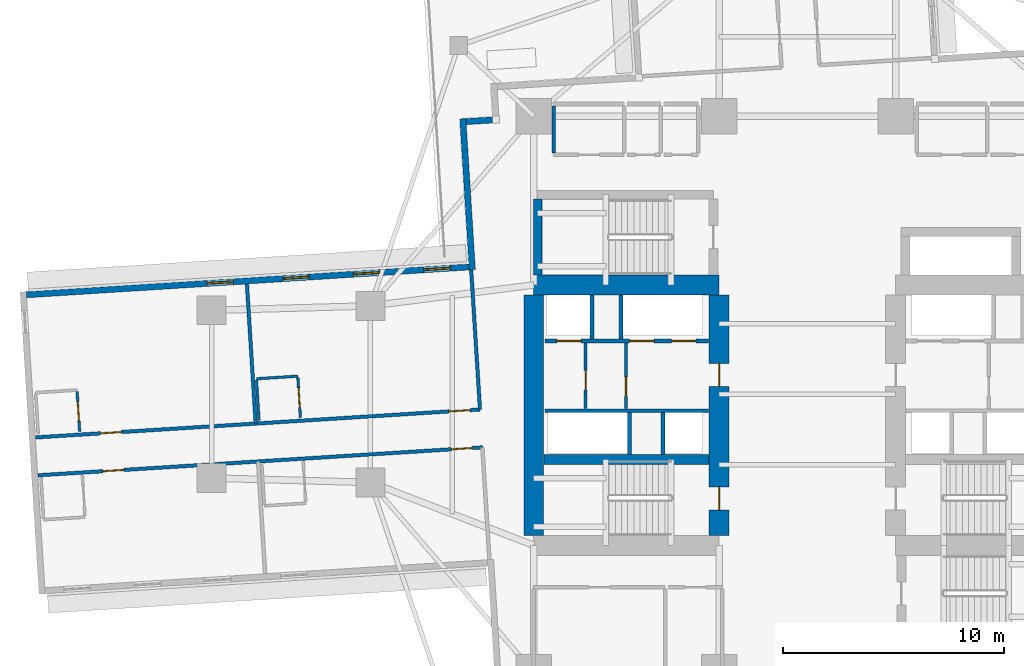
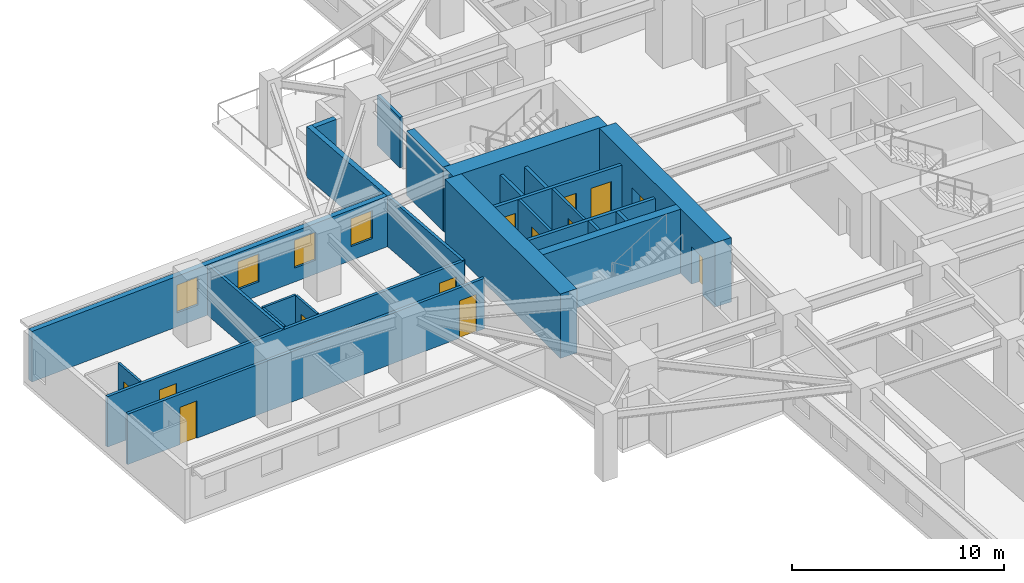
# One storey, part 5 of 14: 25 walls, 13 doors, 4 windows, 17 openings.
"""IFC4 building model written with IfcOpenShell, lengths in metres."""

from ifc_helpers import new_model, si_unit, direction, frame, frame_2d, origin, place, context, subcontext, project, spatial, rectangle, extrude, material, layer, layer_set, type_object, element, fill, save


model = new_model("IFC4")

# Units and contexts
model_context = context("Model", 3, precision=1e-05, world=origin(), true_north=direction((0.0, 1.0)))
body_context = subcontext(model_context, "Body", "Model", "MODEL_VIEW")
ifc_project = project(units=[si_unit("LENGTHUNIT", "METRE"), si_unit("AREAUNIT", "SQUARE_METRE"), si_unit("VOLUMEUNIT", "CUBIC_METRE"), si_unit("PLANEANGLEUNIT", "RADIAN"), si_unit("MASSUNIT", "GRAM", prefix="KILO")], contexts=[model_context])

# Site, building, storey
site_placement = place(None, origin())
site = spatial("IfcSite", under=ifc_project, at=site_placement, CompositionType="ELEMENT")
building_placement = place(site_placement, origin())
building = spatial("IfcBuilding", under=site, at=building_placement, Name="Qingluan Cross Belvedere", CompositionType="ELEMENT")
storey_placement = place(building_placement, frame((0.0, 0.0, 39.300048828125)))
storey = spatial("IfcBuildingStorey", under=building, at=storey_placement, Name="L10", CompositionType="ELEMENT", Elevation=39.300048828125)

# Walls
ifc_material_1 = material(Name="Concrete C50", Category="concrete")
ifc_layer_1 = layer(ifc_material_1, 0.449951171875, Name="CoreShearWall_450")
ifc_layer_set_1 = layer_set([ifc_layer_1], Name="Concrete C50")
wall_type_1 = type_object("IfcWallType", Name="CoreShearWall_450", PredefinedType="SHEAR", material=ifc_layer_set_1)
wall_1_placement = place(storey_placement, frame((-11.945068359375, -2.9599609375, 0.0), z_axis=(0.0, 0.0, 1.0), x_axis=(1.0, 0.0, 0.0)))
element("IfcWall", 1, at=wall_1_placement, inside=storey, type_object=wall_type_1, Name="Split core W shear wall L10-M", PredefinedType="SHEAR", context=body_context, shape_type="SweptSolid", body=[
    extrude(rectangle(XDim=7.489990234375, YDim=0.449951171875, at=frame_2d((3.7451171875, 0.0))), origin(), (0.0, 0.0, 1.0), 3.699951171875),
])
wall_2_placement = place(storey_placement, frame((-12.219970703125, 5.405029296875, 0.0), z_axis=(0.0, 0.0, 1.0), x_axis=(0.0, 1.0, 0.0)))
element("IfcWall", 2, at=wall_2_placement, inside=storey, type_object=wall_type_1, Name="Stair ST3 structural wall W L10", PredefinedType="SHEAR", context=body_context, shape_type="SweptSolid", body=[
    extrude(rectangle(XDim=3.429931640625, YDim=0.39990234375, at=frame_2d((1.71484375, 0.0))), origin(), (0.0, 0.0, 1.0), 3.699951171875),
])
ifc_material_2 = material(Name="Concrete C70", Category="concrete")
ifc_layer_2 = layer(ifc_material_2, 0.89990234375, Name="CoreShearWall_900")
ifc_layer_set_2 = layer_set([ifc_layer_2], Name="Concrete C70")
wall_type_2 = type_object("IfcWallType", Name="CoreShearWall_900", PredefinedType="SHEAR", material=ifc_layer_set_2)
wall_3_placement = place(storey_placement, frame((-12.39990234375, 4.949951171875, 0.0), z_axis=(0.0, 0.0, 1.0), x_axis=(1.0, 0.0, 0.0)))
element("IfcWall", 3, at=wall_3_placement, inside=storey, type_object=wall_type_2, Name="Split core W shear wall L10-N", PredefinedType="SHEAR", context=body_context, shape_type="SweptSolid", body=[
    extrude(rectangle(XDim=8.39990234375, YDim=0.89990234375, at=frame_2d((4.199951171875, 0.0))), origin(), (0.0, 0.0, 1.0), 3.699951171875),
])
wall_4_placement = place(storey_placement, frame((-12.39990234375, -6.39501953125, 0.0), z_axis=(0.0, 0.0, 1.0), x_axis=(0.0, 1.0, 0.0)))
element("IfcWall", 4, at=wall_4_placement, inside=storey, type_object=wall_type_2, Name="Split core W shear wall L10-W", PredefinedType="SHEAR", context=body_context, shape_type="SweptSolid", body=[
    extrude(rectangle(XDim=10.89013671875, YDim=0.89990234375, at=frame_2d((5.445068359375, 0.0))), origin(), (0.0, 0.0, 1.0), 3.699951171875),
])

# Wall, openings, doors
wall_5_placement = place(storey_placement, frame((-4.0, -6.39501953125, 0.0), z_axis=(0.0, 0.0, 1.0), x_axis=(0.0, 1.0, 0.0)))
wall_5 = element("IfcWall", 5, at=wall_5_placement, inside=storey, type_object=wall_type_2, Name="Split core W shear wall L10-E", PredefinedType="SHEAR", context=body_context, shape_type="SweptSolid", body=[
    extrude(rectangle(XDim=10.89013671875, YDim=0.89990234375, at=frame_2d((5.445068359375, 0.0))), origin(), (0.0, 0.0, 1.0), 3.699951171875),
])
opening_1_placement = place(wall_5_placement, frame((1.14501953125, 0.0, 0.0)))
opening_1 = element("IfcOpeningElement", 6, at=opening_1_placement, cuts=wall_5, Name="Opening FD-B11", PredefinedType="OPENING", context=body_context, shape_type="SweptSolid", body=[
    extrude(rectangle(XDim=1.050048828125, YDim=2.14990234375, at=frame_2d((0.52490234375, 1.074951171875))), frame((0.0, 0.4599609375, 0.0), z_axis=(0.0, -1.0, 0.0), x_axis=(1.0, 0.0, 0.0)), (0.0, 0.0, 1.0), 0.919921875),
])
opening_2_placement = place(wall_5_placement, frame((6.7451171875, 0.0, 0.0)))
opening_2 = element("IfcOpeningElement", 7, at=opening_2_placement, cuts=wall_5, Name="Opening FD-B11", PredefinedType="OPENING", context=body_context, shape_type="SweptSolid", body=[
    extrude(rectangle(XDim=1.050048828125, YDim=2.14990234375, at=frame_2d((0.52490234375, 1.074951171875))), frame((0.0, 0.4599609375, 0.0), z_axis=(0.0, -1.0, 0.0), x_axis=(1.0, 0.0, 0.0)), (0.0, 0.0, 1.0), 0.919921875),
])
ifc_material_3 = material(Name="Steel Class B smoke-seal fire door", Category="steel")
door_type_1 = type_object("IfcDoorType", Name="StairLobbyFireDoor_FDB", OperationType="NOTDEFINED", PredefinedType="DOOR", material=ifc_material_3)
door_1_placement = place(opening_1_placement, origin())
door_1 = element("IfcDoor", 8, at=door_1_placement, inside=storey, type_object=door_type_1, Name="Smoke-proof stair ST1 fire door L10", OperationType="SINGLE_SWING_RIGHT", OverallHeight=2.14990234375, OverallWidth=1.050048828125, PredefinedType="DOOR", context=body_context, shape_type="SweptSolid", body=[
    extrude(rectangle(XDim=1.050048828125, YDim=2.14990234375, at=frame_2d((0.52490234375, 1.074951171875))), frame((0.0, 0.02490234375, 0.0), z_axis=(0.0, -1.0, 0.0), x_axis=(1.0, 0.0, 0.0)), (0.0, 0.0, 1.0), 0.050048828125),
])
fill(opening_1, door_1)
door_2_placement = place(opening_2_placement, origin())
door_2 = element("IfcDoor", 9, at=door_2_placement, inside=storey, type_object=door_type_1, Name="Firefighting lobby West fire door L10", OperationType="SINGLE_SWING_RIGHT", OverallHeight=2.14990234375, OverallWidth=1.050048828125, PredefinedType="DOOR", context=body_context, shape_type="SweptSolid", body=[
    extrude(rectangle(XDim=1.050048828125, YDim=2.14990234375, at=frame_2d((0.52490234375, 1.074951171875))), frame((0.0, 0.02490234375, 0.0), z_axis=(0.0, -1.0, 0.0), x_axis=(1.0, 0.0, 0.0)), (0.0, 0.0, 1.0), 0.050048828125),
])
fill(opening_2, door_2)

# Wall, opening, door
ifc_material_4 = material(Name="Gypsum plasterboard on steel stud acoustic partition", Category="steel")
ifc_layer_3 = layer(ifc_material_4, 0.159912109375, Name="CorridorPartition_160")
ifc_layer_set_3 = layer_set([ifc_layer_3], Name="Gypsum plasterboard on steel stud acoustic partition")
wall_type_3 = type_object("IfcWallType", Name="CorridorPartition_160", PredefinedType="PARTITIONING", material=ifc_layer_set_3)
wall_6_placement = place(storey_placement, frame((-10.050048828125, -0.652099609375, 0.0), z_axis=(0.0, 0.0, 1.0), x_axis=(0.0, 1.0, 0.0)))
wall_6 = element("IfcWall", 10, at=wall_6_placement, inside=storey, type_object=wall_type_3, Name="Partition L10:wv", PredefinedType="PARTITIONING", context=body_context, shape_type="SweptSolid", body=[
    extrude(rectangle(XDim=2.962158203125, YDim=0.139892578125, at=frame_2d((1.48095703125, 0.0))), origin(), (0.0, 0.0, 1.0), 2.89990234375),
])
opening_3_placement = place(wall_6_placement, frame((0.85009765625, 0.0, 0.0)))
opening_3 = element("IfcOpeningElement", 11, at=opening_3_placement, cuts=wall_6, Name="Opening FD-B10", PredefinedType="OPENING", context=body_context, shape_type="SweptSolid", body=[
    extrude(rectangle(XDim=0.8798828125, YDim=2.10009765625, at=frame_2d((0.43994140625, 1.050048828125))), frame((0.0, 0.079833984375, 0.0), z_axis=(0.0, -1.0, 0.0), x_axis=(1.0, 0.0, 0.0)), (0.0, 0.0, 1.0), 0.159912109375),
])
ifc_material_5 = material(Name="Steel Class B service fire door", Category="steel")
door_type_2 = type_object("IfcDoorType", Name="RiserServiceFireDoor_FDB", OperationType="NOTDEFINED", PredefinedType="DOOR", material=ifc_material_5)
door_3_placement = place(opening_3_placement, origin())
door_3 = element("IfcDoor", 12, at=door_3_placement, inside=storey, type_object=door_type_2, Name="Service closet inner door L10", OperationType="SINGLE_SWING_RIGHT", OverallHeight=2.10009765625, OverallWidth=0.8798828125, PredefinedType="DOOR", context=body_context, shape_type="SweptSolid", body=[
    extrude(rectangle(XDim=0.8798828125, YDim=2.10009765625, at=frame_2d((0.43994140625, 1.050048828125))), frame((0.0, 0.02490234375, 0.0), z_axis=(0.0, -1.0, 0.0), x_axis=(1.0, 0.0, 0.0)), (0.0, 0.0, 1.0), 0.050048828125),
])
fill(opening_3, door_3)

# Wall
wall_7_placement = place(storey_placement, frame((-11.5, 10.93505859375, 0.0), z_axis=(0.0, 0.0, 1.0), x_axis=(0.0, 1.0, 0.0)))
element("IfcWall", 13, at=wall_7_placement, inside=storey, type_object=wall_type_3, Name="Partition L10:q_nw_occ:W", PredefinedType="PARTITIONING", context=body_context, shape_type="SweptSolid", body=[
    extrude(rectangle(XDim=2.1298828125, YDim=0.159912109375, at=frame_2d((1.06494140625, 0.0))), origin(), (0.0, 0.0, 1.0), 2.89990234375),
])

# Wall, openings, doors
wall_8_placement = place(storey_placement, frame((-14.835693359375, -0.69287109375, 0.0), z_axis=(0.0, 0.0, 1.0), x_axis=(-0.998026414479, -0.062795509413, 0.0)))
wall_8 = element("IfcWall", 14, at=wall_8_placement, inside=storey, type_object=wall_type_3, Name="Partition L10:W:c0", PredefinedType="PARTITIONING", context=body_context, shape_type="SweptSolid", body=[
    extrude(rectangle(XDim=20.181884765625, YDim=0.159912109375, at=frame_2d((10.0908203125, 0.0))), origin(), (0.0, 0.0, 1.0), 2.89990234375),
])
opening_4_placement = place(wall_8_placement, frame((0.449951171875, 0.0, 0.0)))
opening_4 = element("IfcOpeningElement", 15, at=opening_4_placement, cuts=wall_8, Name="Opening GD-10", PredefinedType="OPENING", context=body_context, shape_type="SweptSolid", body=[
    extrude(rectangle(XDim=0.9599609375, YDim=2.14990234375, at=frame_2d((0.47998046875, 1.074951171875))), frame((0.0, 0.08984375, 0.0), z_axis=(0.0, -1.0, 0.0), x_axis=(1.0, 0.0, 0.0)), (0.0, 0.0, 1.0), 0.179931640625),
])
opening_5_placement = place(wall_8_placement, frame((16.26806640625, 0.0, 0.0)))
opening_5 = element("IfcOpeningElement", 16, at=opening_5_placement, cuts=wall_8, Name="Opening GD-10", PredefinedType="OPENING", context=body_context, shape_type="SweptSolid", body=[
    extrude(rectangle(XDim=0.9599609375, YDim=2.14990234375, at=frame_2d((0.47998046875, 1.074951171875))), frame((0.0, 0.08984375, 0.0), z_axis=(0.0, -1.0, 0.0), x_axis=(1.0, 0.0, 0.0)), (0.0, 0.0, 1.0), 0.179931640625),
])
ifc_material_6 = material(Name="Timber oak fire-rated acoustic guestroom door", Category="wood")
door_type_3 = type_object("IfcDoorType", Name="GuestEntryDoor_FD60", OperationType="NOTDEFINED", PredefinedType="DOOR", material=ifc_material_6)
door_4_placement = place(opening_4_placement, origin())
door_4 = element("IfcDoor", 17, at=door_4_placement, inside=storey, type_object=door_type_3, Name="Guest entry fire door 1005", OperationType="SINGLE_SWING_LEFT", OverallHeight=2.14990234375, OverallWidth=0.9599609375, PredefinedType="DOOR", context=body_context, shape_type="SweptSolid", body=[
    extrude(rectangle(XDim=0.9599609375, YDim=2.14990234375, at=frame_2d((0.47998046875, 1.074951171875))), frame((0.0, 0.02490234375, 0.0), z_axis=(0.0, -1.0, 0.0), x_axis=(1.0, 0.0, 0.0)), (0.0, 0.0, 1.0), 0.050048828125),
])
fill(opening_4, door_4)
door_5_placement = place(opening_5_placement, origin())
door_5 = element("IfcDoor", 18, at=door_5_placement, inside=storey, type_object=door_type_3, Name="Guest entry fire door 1006", OperationType="SINGLE_SWING_LEFT", OverallHeight=2.14990234375, OverallWidth=0.9599609375, PredefinedType="DOOR", context=body_context, shape_type="SweptSolid", body=[
    extrude(rectangle(XDim=0.9599609375, YDim=2.14990234375, at=frame_2d((0.47998046875, 1.074951171875))), frame((0.0, 0.02490234375, 0.0), z_axis=(0.0, -1.0, 0.0), x_axis=(1.0, 0.0, 0.0)), (0.0, 0.0, 1.0), 0.050048828125),
])
fill(opening_5, door_5)

# Walls
for number, where, z_axis, x_axis, name in (
    (19, (-14.835693359375, -0.69287109375, 0.0), (0.0, 0.0, 1.0), (-0.062807948776, 0.99802563172, 0.0), "Partition L10:W:s0"),
    (20, (-25.000732421875, -1.33251953125, 0.0), (0.0, 0.0, 1.0), (-0.062769544596, 0.998028047838, 0.0), "Partition L10:W:d0_0"),
):
    element("IfcWall", number, at=place(storey_placement, frame(where, z_axis=z_axis, x_axis=x_axis)), inside=storey, type_object=wall_type_3, Name=name, PredefinedType="PARTITIONING", context=body_context, shape_type="SweptSolid", body=[
        extrude(rectangle(XDim=6.33203125, YDim=0.159912109375, at=frame_2d((3.166015625, 0.0))), origin(), (0.0, 0.0, 1.0), 2.89990234375),
    ])

# Wall, openings, doors
wall_9_placement = place(storey_placement, frame((-14.727783203125, -2.409423828125, 0.0), z_axis=(0.0, 0.0, 1.0), x_axis=(-0.998026414479, -0.062795509413, 0.0)))
wall_9 = element("IfcWall", 21, at=wall_9_placement, inside=storey, type_object=wall_type_3, Name="Partition L10:W:c1", PredefinedType="PARTITIONING", context=body_context, shape_type="SweptSolid", body=[
    extrude(rectangle(XDim=20.181884765625, YDim=0.159912109375, at=frame_2d((10.0908203125, 0.0))), origin(), (0.0, 0.0, 1.0), 2.89990234375),
])
opening_6_placement = place(wall_9_placement, frame((0.449951171875, 0.0, 0.0)))
opening_6 = element("IfcOpeningElement", 22, at=opening_6_placement, cuts=wall_9, Name="Opening GD-10", PredefinedType="OPENING", context=body_context, shape_type="SweptSolid", body=[
    extrude(rectangle(XDim=0.9599609375, YDim=2.14990234375, at=frame_2d((0.47998046875, 1.074951171875))), frame((0.0, 0.08984375, 0.0), z_axis=(0.0, -1.0, 0.0), x_axis=(1.0, 0.0, 0.0)), (0.0, 0.0, 1.0), 0.179931640625),
])
opening_7_placement = place(wall_9_placement, frame((16.26806640625, 0.0, 0.0)))
opening_7 = element("IfcOpeningElement", 23, at=opening_7_placement, cuts=wall_9, Name="Opening GD-10", PredefinedType="OPENING", context=body_context, shape_type="SweptSolid", body=[
    extrude(rectangle(XDim=0.9599609375, YDim=2.14990234375, at=frame_2d((0.47998046875, 1.074951171875))), frame((0.0, 0.08984375, 0.0), z_axis=(0.0, -1.0, 0.0), x_axis=(1.0, 0.0, 0.0)), (0.0, 0.0, 1.0), 0.179931640625),
])
door_6_placement = place(opening_6_placement, origin())
door_6 = element("IfcDoor", 24, at=door_6_placement, inside=storey, type_object=door_type_3, Name="Guest entry fire door 1007", OperationType="SINGLE_SWING_LEFT", OverallHeight=2.14990234375, OverallWidth=0.9599609375, PredefinedType="DOOR", context=body_context, shape_type="SweptSolid", body=[
    extrude(rectangle(XDim=0.9599609375, YDim=2.14990234375, at=frame_2d((0.47998046875, 1.074951171875))), frame((0.0, 0.02490234375, 0.0), z_axis=(0.0, -1.0, 0.0), x_axis=(1.0, 0.0, 0.0)), (0.0, 0.0, 1.0), 0.050048828125),
])
fill(opening_6, door_6)
door_7_placement = place(opening_7_placement, origin())
door_7 = element("IfcDoor", 25, at=door_7_placement, inside=storey, type_object=door_type_3, Name="Guest entry fire door 1008", OperationType="SINGLE_SWING_LEFT", OverallHeight=2.14990234375, OverallWidth=0.9599609375, PredefinedType="DOOR", context=body_context, shape_type="SweptSolid", body=[
    extrude(rectangle(XDim=0.9599609375, YDim=2.14990234375, at=frame_2d((0.47998046875, 1.074951171875))), frame((0.0, 0.02490234375, 0.0), z_axis=(0.0, -1.0, 0.0), x_axis=(1.0, 0.0, 0.0)), (0.0, 0.0, 1.0), 0.050048828125),
])
fill(opening_7, door_7)

# Wall, opening, door
ifc_material_7 = material(Name="Moisture-resistant gypsum board lining")
ifc_layer_4 = layer(ifc_material_7, 0.1201171875, Name="EnsuiteWetPartition_120")
ifc_layer_set_4 = layer_set([ifc_layer_4], Name="Moisture-resistant gypsum board lining")
wall_type_4 = type_object("IfcWallType", Name="EnsuiteWetPartition_120", PredefinedType="PARTITIONING", material=ifc_layer_set_4)
wall_10_placement = place(storey_placement, frame((-22.973388671875, -1.064697265625, 0.0), z_axis=(0.0, 0.0, 1.0), x_axis=(-0.062912758763, 0.998019030272, 0.0)))
wall_10 = element("IfcWall", 26, at=wall_10_placement, inside=storey, type_object=wall_type_4, Name="Partition L10:W:bs0_0", PredefinedType="PARTITIONING", context=body_context, shape_type="SweptSolid", body=[
    extrude(rectangle(XDim=1.820068359375, YDim=0.1201171875, at=frame_2d((0.91015625, 0.0))), origin(), (0.0, 0.0, 1.0), 2.89990234375),
])
opening_8_placement = place(wall_10_placement, frame((0.469970703125, 0.0, 0.0)))
opening_8 = element("IfcOpeningElement", 27, at=opening_8_placement, cuts=wall_10, Name="Opening BD-09", PredefinedType="OPENING", context=body_context, shape_type="SweptSolid", body=[
    extrude(rectangle(XDim=0.8798828125, YDim=2.10009765625, at=frame_2d((0.43994140625, 1.050048828125))), frame((0.0, 0.070068359375, 0.0), z_axis=(0.0, -1.0, 0.0), x_axis=(1.0, 0.0, 0.0)), (0.0, 0.0, 1.0), 0.14013671875),
])
ifc_material_8 = material(Name="Moisture-sealed timber en-suite door", Category="wood")
door_type_4 = type_object("IfcDoorType", Name="BathroomDoor_880", OperationType="NOTDEFINED", PredefinedType="DOOR", material=ifc_material_8)
door_8_placement = place(opening_8_placement, origin())
door_8 = element("IfcDoor", 28, at=door_8_placement, inside=storey, type_object=door_type_4, Name="Bathroom door 1005", OperationType="SINGLE_SWING_RIGHT", OverallHeight=2.10009765625, OverallWidth=0.8798828125, PredefinedType="DOOR", context=body_context, shape_type="SweptSolid", body=[
    extrude(rectangle(XDim=0.8798828125, YDim=2.10009765625, at=frame_2d((0.43994140625, 1.050048828125))), frame((0.0, 0.02490234375, 0.0), z_axis=(0.0, -1.0, 0.0), x_axis=(1.0, 0.0, 0.0)), (0.0, 0.0, 1.0), 0.050048828125),
])
fill(opening_8, door_8)

# Walls
wall_11_placement = place(storey_placement, frame((-24.849853515625, -1.1826171875, 0.0), z_axis=(0.0, 0.0, 1.0), x_axis=(-0.062779145668, 0.998027443946, 0.0)))
element("IfcWall", 29, at=wall_11_placement, inside=storey, type_object=wall_type_4, Name="Partition L10:W:bw0_0", PredefinedType="PARTITIONING", context=body_context, shape_type="SweptSolid", body=[
    extrude(rectangle(XDim=1.820068359375, YDim=0.1201171875, at=frame_2d((0.91015625, 0.0))), origin(), (0.0, 0.0, 1.0), 2.89990234375),
])
wall_12_placement = place(storey_placement, frame((-23.091796875, 0.816650390625, 0.0), z_axis=(0.0, 0.0, 1.0), x_axis=(-0.998022650819, -0.062855297722, 0.0)))
element("IfcWall", 30, at=wall_12_placement, inside=storey, type_object=wall_type_4, Name="Partition L10:W:bn0_0", PredefinedType="PARTITIONING", context=body_context, shape_type="SweptSolid", body=[
    extrude(rectangle(XDim=1.8798828125, YDim=0.1201171875, at=frame_2d((0.93994140625, 0.0))), origin(), (0.0, 0.0, 1.0), 2.89990234375),
])

# Wall, opening, door
wall_13_placement = place(storey_placement, frame((-32.978759765625, -1.694091796875, 0.0), z_axis=(0.0, 0.0, 1.0), x_axis=(-0.062779145668, 0.998027443946, 0.0)))
wall_13 = element("IfcWall", 31, at=wall_13_placement, inside=storey, type_object=wall_type_4, Name="Partition L10:W:bs0_1", PredefinedType="PARTITIONING", context=body_context, shape_type="SweptSolid", body=[
    extrude(rectangle(XDim=1.820068359375, YDim=0.1201171875, at=frame_2d((0.91015625, 0.0))), origin(), (0.0, 0.0, 1.0), 2.89990234375),
])
opening_9_placement = place(wall_13_placement, frame((0.469970703125, 0.0, 0.0)))
opening_9 = element("IfcOpeningElement", 32, at=opening_9_placement, cuts=wall_13, Name="Opening BD-09", PredefinedType="OPENING", context=body_context, shape_type="SweptSolid", body=[
    extrude(rectangle(XDim=0.8798828125, YDim=2.10009765625, at=frame_2d((0.43994140625, 1.050048828125))), frame((0.0, 0.070068359375, 0.0), z_axis=(0.0, -1.0, 0.0), x_axis=(1.0, 0.0, 0.0)), (0.0, 0.0, 1.0), 0.14013671875),
])
door_9_placement = place(opening_9_placement, origin())
door_9 = element("IfcDoor", 33, at=door_9_placement, inside=storey, type_object=door_type_4, Name="Bathroom door 1006", OperationType="SINGLE_SWING_RIGHT", OverallHeight=2.10009765625, OverallWidth=0.8798828125, PredefinedType="DOOR", context=body_context, shape_type="SweptSolid", body=[
    extrude(rectangle(XDim=0.8798828125, YDim=2.10009765625, at=frame_2d((0.43994140625, 1.050048828125))), frame((0.0, 0.02490234375, 0.0), z_axis=(0.0, -1.0, 0.0), x_axis=(1.0, 0.0, 0.0)), (0.0, 0.0, 1.0), 0.050048828125),
])
fill(opening_9, door_9)

# Wall, openings, windows
ifc_material_9 = material(Name="Precast concrete C45", Category="concrete")
ifc_layer_5 = layer(ifc_material_9, 0.280029296875, Name="PrecastFacadeWall_280")
ifc_layer_set_5 = layer_set([ifc_layer_5], Name="Precast concrete C45")
wall_type_5 = type_object("IfcWallType", Name="PrecastFacadeWall_280", PredefinedType="STANDARD", material=ifc_layer_set_5)
wall_14_placement = place(storey_placement, frame((-15.33251953125, 5.7685546875, 0.0), z_axis=(0.0, 0.0, 1.0), x_axis=(-0.998027116198, -0.062784355807, 0.0)))
wall_14 = element("IfcWall", 34, at=wall_14_placement, inside=storey, type_object=wall_type_5, Name="Facade wall L10-WA", PredefinedType="STANDARD", context=body_context, shape_type="SweptSolid", body=[
    extrude(rectangle(XDim=20.099853515625, YDim=0.280029296875, at=frame_2d((10.0498046875, 0.0))), origin(), (0.0, 0.0, 1.0), 2.909912109375),
])
opening_10_placement = place(wall_14_placement, frame((0.85009765625, 0.0, 0.800048828125)))
opening_10 = element("IfcOpeningElement", 35, at=opening_10_placement, cuts=wall_14, Name="Opening W-02", PredefinedType="OPENING", context=body_context, shape_type="SweptSolid", body=[
    extrude(rectangle(XDim=1.199951171875, YDim=1.60009765625, at=frame_2d((0.60009765625, 0.800048828125))), frame((0.0, 0.14990234375, 0.0), z_axis=(0.0, -1.0, 0.0), x_axis=(1.0, 0.0, 0.0)), (0.0, 0.0, 1.0), 0.300048828125),
])
opening_11_placement = place(wall_14_placement, frame((4.050048828125, 0.0, 0.800048828125)))
opening_11 = element("IfcOpeningElement", 36, at=opening_11_placement, cuts=wall_14, Name="Opening W-02", PredefinedType="OPENING", context=body_context, shape_type="SweptSolid", body=[
    extrude(rectangle(XDim=1.199951171875, YDim=1.60009765625, at=frame_2d((0.60009765625, 0.800048828125))), frame((0.0, 0.14990234375, 0.0), z_axis=(0.0, -1.0, 0.0), x_axis=(1.0, 0.0, 0.0)), (0.0, 0.0, 1.0), 0.300048828125),
])
opening_12_placement = place(wall_14_placement, frame((7.25, 0.0, 0.800048828125)))
opening_12 = element("IfcOpeningElement", 37, at=opening_12_placement, cuts=wall_14, Name="Opening W-02", PredefinedType="OPENING", context=body_context, shape_type="SweptSolid", body=[
    extrude(rectangle(XDim=1.199951171875, YDim=1.60009765625, at=frame_2d((0.60009765625, 0.800048828125))), frame((0.0, 0.14990234375, 0.0), z_axis=(0.0, -1.0, 0.0), x_axis=(1.0, 0.0, 0.0)), (0.0, 0.0, 1.0), 0.300048828125),
])
opening_13_placement = place(wall_14_placement, frame((10.699951171875, 0.0, 0.800048828125)))
opening_13 = element("IfcOpeningElement", 38, at=opening_13_placement, cuts=wall_14, Name="Opening W-02", PredefinedType="OPENING", context=body_context, shape_type="SweptSolid", body=[
    extrude(rectangle(XDim=1.199951171875, YDim=1.60009765625, at=frame_2d((0.60009765625, 0.800048828125))), frame((0.0, 0.14990234375, 0.0), z_axis=(0.0, -1.0, 0.0), x_axis=(1.0, 0.0, 0.0)), (0.0, 0.0, 1.0), 0.300048828125),
])
ifc_material_10 = material(Name="Thermally broken triple Low-E glass in aluminium frame", Category="aluminium")
window_type = type_object("IfcWindowType", Name="TriRibbonWin_1200x1600", PartitioningType="SINGLE_PANEL", PredefinedType="WINDOW", material=ifc_material_10)
window_1_placement = place(opening_10_placement, origin())
window_1 = element("IfcWindow", 39, at=window_1_placement, inside=storey, type_object=window_type, Name="Ribbon window L10-WA-1", OverallHeight=1.60009765625, OverallWidth=1.199951171875, PartitioningType="SINGLE_PANEL", PredefinedType="WINDOW", context=body_context, shape_type="SweptSolid", body=[
    extrude(rectangle(XDim=1.199951171875, YDim=1.60009765625, at=frame_2d((0.60009765625, 0.800048828125))), frame((0.0, 0.030029296875, 0.0), z_axis=(0.0, -1.0, 0.0), x_axis=(1.0, 0.0, 0.0)), (0.0, 0.0, 1.0), 0.06005859375),
])
fill(opening_10, window_1)
window_2_placement = place(opening_11_placement, origin())
window_2 = element("IfcWindow", 40, at=window_2_placement, inside=storey, type_object=window_type, Name="Ribbon window L10-WA-2", OverallHeight=1.60009765625, OverallWidth=1.199951171875, PartitioningType="SINGLE_PANEL", PredefinedType="WINDOW", context=body_context, shape_type="SweptSolid", body=[
    extrude(rectangle(XDim=1.199951171875, YDim=1.60009765625, at=frame_2d((0.60009765625, 0.800048828125))), frame((0.0, 0.030029296875, 0.0), z_axis=(0.0, -1.0, 0.0), x_axis=(1.0, 0.0, 0.0)), (0.0, 0.0, 1.0), 0.06005859375),
])
fill(opening_11, window_2)
window_3_placement = place(opening_12_placement, origin())
window_3 = element("IfcWindow", 41, at=window_3_placement, inside=storey, type_object=window_type, Name="Ribbon window L10-WA-3", OverallHeight=1.60009765625, OverallWidth=1.199951171875, PartitioningType="SINGLE_PANEL", PredefinedType="WINDOW", context=body_context, shape_type="SweptSolid", body=[
    extrude(rectangle(XDim=1.199951171875, YDim=1.60009765625, at=frame_2d((0.60009765625, 0.800048828125))), frame((0.0, 0.030029296875, 0.0), z_axis=(0.0, -1.0, 0.0), x_axis=(1.0, 0.0, 0.0)), (0.0, 0.0, 1.0), 0.06005859375),
])
fill(opening_12, window_3)
window_4_placement = place(opening_13_placement, origin())
window_4 = element("IfcWindow", 42, at=window_4_placement, inside=storey, type_object=window_type, Name="Ribbon window L10-WA-4", OverallHeight=1.60009765625, OverallWidth=1.199951171875, PartitioningType="SINGLE_PANEL", PredefinedType="WINDOW", context=body_context, shape_type="SweptSolid", body=[
    extrude(rectangle(XDim=1.199951171875, YDim=1.60009765625, at=frame_2d((0.60009765625, 0.800048828125))), frame((0.0, 0.030029296875, 0.0), z_axis=(0.0, -1.0, 0.0), x_axis=(1.0, 0.0, 0.0)), (0.0, 0.0, 1.0), 0.06005859375),
])
fill(opening_13, window_4)

# Walls
wall_15_placement = place(storey_placement, frame((-15.18408203125, 5.6376953125, 0.0), z_axis=(0.0, 0.0, 1.0), x_axis=(-0.062779317195, 0.998027433156, 0.0)))
element("IfcWall", 43, at=wall_15_placement, inside=storey, type_object=wall_type_5, Name="Corner wall L10-NW1", PredefinedType="STANDARD", context=body_context, shape_type="SweptSolid", body=[
    extrude(rectangle(XDim=6.85986328125, YDim=0.280029296875, at=frame_2d((3.429931640625, 0.0))), origin(), (0.0, 0.0, 1.0), 2.909912109375),
])
wall_16_placement = place(storey_placement, frame((-15.46630859375, 12.353271484375, 0.0), z_axis=(0.0, 0.0, 1.0), x_axis=(0.998024450254, 0.062826719603, 0.0)))
element("IfcWall", 44, at=wall_16_placement, inside=storey, type_object=wall_type_5, Name="Corner wall L10-NW2", PredefinedType="STANDARD", context=body_context, shape_type="SweptSolid", body=[
    extrude(rectangle(XDim=1.22021484375, YDim=0.280029296875, at=frame_2d((0.610107421875, 0.0))), origin(), (0.0, 0.0, 1.0), 2.909912109375),
])

# Wall, openings, doors
ifc_material_11 = material(Name="Concrete C40", Category="concrete")
ifc_layer_6 = layer(ifc_material_11, 0.219970703125, Name="ShaftEnclosureWall_250")
ifc_layer_set_6 = layer_set([ifc_layer_6], Name="Concrete C40")
wall_type_6 = type_object("IfcWallType", Name="ShaftEnclosureWall_250", PredefinedType="SOLIDWALL", material=ifc_layer_set_6)
wall_17_placement = place(storey_placement, frame((-11.89990234375, 2.409912109375, 0.0), z_axis=(0.0, 0.0, 1.0), x_axis=(1.0, 0.0, 0.0)))
wall_17 = element("IfcWall", 45, at=wall_17_placement, inside=storey, type_object=wall_type_6, Name="Core-W north hoistway wall L10", PredefinedType="SOLIDWALL", context=body_context, shape_type="SweptSolid", body=[
    extrude(rectangle(XDim=7.419921875, YDim=0.179931640625, at=frame_2d((3.7099609375, 0.0))), origin(), (0.0, 0.0, 1.0), 2.89990234375),
])
opening_14_placement = place(wall_17_placement, frame((0.550048828125, 0.0, 0.0)))
opening_14 = element("IfcOpeningElement", 46, at=opening_14_placement, cuts=wall_17, Name="Opening LD-11", PredefinedType="OPENING", context=body_context, shape_type="SweptSolid", body=[
    extrude(rectangle(XDim=1.10009765625, YDim=2.14990234375, at=frame_2d((0.550048828125, 1.074951171875))), frame((0.0, 0.099853515625, 0.0), z_axis=(0.0, -1.0, 0.0), x_axis=(1.0, 0.0, 0.0)), (0.0, 0.0, 1.0), 0.199951171875),
])
opening_15_placement = place(wall_17_placement, frame((3.85009765625, 0.0, 0.0)))
opening_15 = element("IfcOpeningElement", 47, at=opening_15_placement, cuts=wall_17, Name="Opening LD-11", PredefinedType="OPENING", context=body_context, shape_type="SweptSolid", body=[
    extrude(rectangle(XDim=1.10009765625, YDim=2.14990234375, at=frame_2d((0.550048828125, 1.074951171875))), frame((0.0, 0.099853515625, 0.0), z_axis=(0.0, -1.0, 0.0), x_axis=(1.0, 0.0, 0.0)), (0.0, 0.0, 1.0), 0.199951171875),
])
opening_16_placement = place(wall_17_placement, frame((5.75, 0.0, 0.0)))
opening_16 = element("IfcOpeningElement", 48, at=opening_16_placement, cuts=wall_17, Name="Opening LD-11", PredefinedType="OPENING", context=body_context, shape_type="SweptSolid", body=[
    extrude(rectangle(XDim=1.10009765625, YDim=2.14990234375, at=frame_2d((0.550048828125, 1.074951171875))), frame((0.0, 0.099853515625, 0.0), z_axis=(0.0, -1.0, 0.0), x_axis=(1.0, 0.0, 0.0)), (0.0, 0.0, 1.0), 0.199951171875),
])
ifc_material_12 = material(Name="Brushed stainless steel centre-opening lift landing door", Category="steel")
door_type_5 = type_object("IfcDoorType", Name="LiftLandingSlidingDoor_1100", OperationType="DOUBLE_DOOR_SLIDING", PredefinedType="DOOR", material=ifc_material_12)
door_10_placement = place(opening_14_placement, origin())
door_10 = element("IfcDoor", 49, at=door_10_placement, inside=storey, type_object=door_type_5, Name="Lift landing sliding door FL1 L10", OperationType="DOUBLE_DOOR_SLIDING", OverallHeight=2.14990234375, OverallWidth=1.10009765625, PredefinedType="DOOR", context=body_context, shape_type="SweptSolid", body=[
    extrude(rectangle(XDim=1.10009765625, YDim=2.14990234375, at=frame_2d((0.550048828125, 1.074951171875))), frame((0.0, 0.02490234375, 0.0), z_axis=(0.0, -1.0, 0.0), x_axis=(1.0, 0.0, 0.0)), (0.0, 0.0, 1.0), 0.050048828125),
])
fill(opening_14, door_10)
door_11_placement = place(opening_15_placement, origin())
door_11 = element("IfcDoor", 50, at=door_11_placement, inside=storey, type_object=door_type_5, Name="Lift landing sliding door LP1 L10", OperationType="DOUBLE_DOOR_SLIDING", OverallHeight=2.14990234375, OverallWidth=1.10009765625, PredefinedType="DOOR", context=body_context, shape_type="SweptSolid", body=[
    extrude(rectangle(XDim=1.10009765625, YDim=2.14990234375, at=frame_2d((0.550048828125, 1.074951171875))), frame((0.0, 0.02490234375, 0.0), z_axis=(0.0, -1.0, 0.0), x_axis=(1.0, 0.0, 0.0)), (0.0, 0.0, 1.0), 0.050048828125),
])
fill(opening_15, door_11)
door_12_placement = place(opening_16_placement, origin())
door_12 = element("IfcDoor", 51, at=door_12_placement, inside=storey, type_object=door_type_5, Name="Lift landing sliding door LP2 L10", OperationType="DOUBLE_DOOR_SLIDING", OverallHeight=2.14990234375, OverallWidth=1.10009765625, PredefinedType="DOOR", context=body_context, shape_type="SweptSolid", body=[
    extrude(rectangle(XDim=1.10009765625, YDim=2.14990234375, at=frame_2d((0.550048828125, 1.074951171875))), frame((0.0, 0.02490234375, 0.0), z_axis=(0.0, -1.0, 0.0), x_axis=(1.0, 0.0, 0.0)), (0.0, 0.0, 1.0), 0.050048828125),
])
fill(opening_16, door_12)

# Walls
wall_18_placement = place(storey_placement, frame((-11.89990234375, -0.75, 0.0), z_axis=(0.0, 0.0, 1.0), x_axis=(1.0, 0.0, 0.0)))
element("IfcWall", 52, at=wall_18_placement, inside=storey, type_object=wall_type_6, Name="Core-W mid hoistway wall L10", PredefinedType="SOLIDWALL", context=body_context, shape_type="SweptSolid", body=[
    extrude(rectangle(XDim=7.419921875, YDim=0.179931640625, at=frame_2d((3.7099609375, 0.0))), origin(), (0.0, 0.0, 1.0), 2.89990234375),
])
for number, where, z_axis, x_axis, name in (
    (53, (-9.760009765625, 2.5, 0.0), (0.0, 0.0, 1.0), (0.0, 1.0, 0.0), "Hoistway enclosure divider FL1E L10"),
    (54, (-8.43994140625, 2.5, 0.0), (0.0, 0.0, 1.0), (0.0, 1.0, 0.0), "Hoistway enclosure divider LP1W L10"),
):
    element("IfcWall", number, at=place(storey_placement, frame(where, z_axis=z_axis, x_axis=x_axis)), inside=storey, type_object=wall_type_6, Name=name, PredefinedType="SOLIDWALL", context=body_context, shape_type="SweptSolid", body=[
        extrude(rectangle(XDim=1.989990234375, YDim=0.179931640625, at=frame_2d((0.9951171875, 0.0))), origin(), (0.0, 0.0, 1.0), 2.89990234375),
    ])
for number, where, z_axis, x_axis, name in (
    (55, (-8.06005859375, -2.72998046875, 0.0), (0.0, 0.0, 1.0), (0.0, 1.0, 0.0), "Hoistway enclosure divider LP6E L10"),
    (56, (-6.5400390625, -2.72998046875, 0.0), (0.0, 0.0, 1.0), (0.0, 1.0, 0.0), "Hoistway enclosure divider LP8W L10"),
):
    element("IfcWall", number, at=place(storey_placement, frame(where, z_axis=z_axis, x_axis=x_axis)), inside=storey, type_object=wall_type_6, Name=name, PredefinedType="SOLIDWALL", context=body_context, shape_type="SweptSolid", body=[
        extrude(rectangle(XDim=1.889892578125, YDim=0.179931640625, at=frame_2d((0.94482421875, 0.0))), origin(), (0.0, 0.0, 1.0), 2.89990234375),
    ])

# Wall, opening, door
wall_19_placement = place(storey_placement, frame((-8.219970703125, -0.64990234375, 0.0), z_axis=(0.0, 0.0, 1.0), x_axis=(0.0, 1.0, 0.0)))
wall_19 = element("IfcWall", 57, at=wall_19_placement, inside=storey, type_object=wall_type_6, Name="Core-W service corridor wall L10", PredefinedType="SOLIDWALL", context=body_context, shape_type="SweptSolid", body=[
    extrude(rectangle(XDim=2.9599609375, YDim=0.139892578125, at=frame_2d((1.47998046875, 0.0))), origin(), (0.0, 0.0, 1.0), 2.89990234375),
])
opening_17_placement = place(wall_19_placement, frame((0.550048828125, 0.0, 0.0)))
opening_17 = element("IfcOpeningElement", 58, at=opening_17_placement, cuts=wall_19, Name="Opening FD-B10", PredefinedType="OPENING", context=body_context, shape_type="SweptSolid", body=[
    extrude(rectangle(XDim=0.8798828125, YDim=2.10009765625, at=frame_2d((0.43994140625, 1.050048828125))), frame((0.0, 0.079833984375, 0.0), z_axis=(0.0, -1.0, 0.0), x_axis=(1.0, 0.0, 0.0)), (0.0, 0.0, 1.0), 0.159912109375),
])
door_13_placement = place(opening_17_placement, origin())
door_13 = element("IfcDoor", 59, at=door_13_placement, inside=storey, type_object=door_type_2, Name="Core-W service room door L10", OperationType="SINGLE_SWING_RIGHT", OverallHeight=2.10009765625, OverallWidth=0.8798828125, PredefinedType="DOOR", context=body_context, shape_type="SweptSolid", body=[
    extrude(rectangle(XDim=0.8798828125, YDim=2.10009765625, at=frame_2d((0.43994140625, 1.050048828125))), frame((0.0, 0.02490234375, 0.0), z_axis=(0.0, -1.0, 0.0), x_axis=(1.0, 0.0, 0.0)), (0.0, 0.0, 1.0), 0.050048828125),
])
fill(opening_17, door_13)

save(model, "model.ifc")
